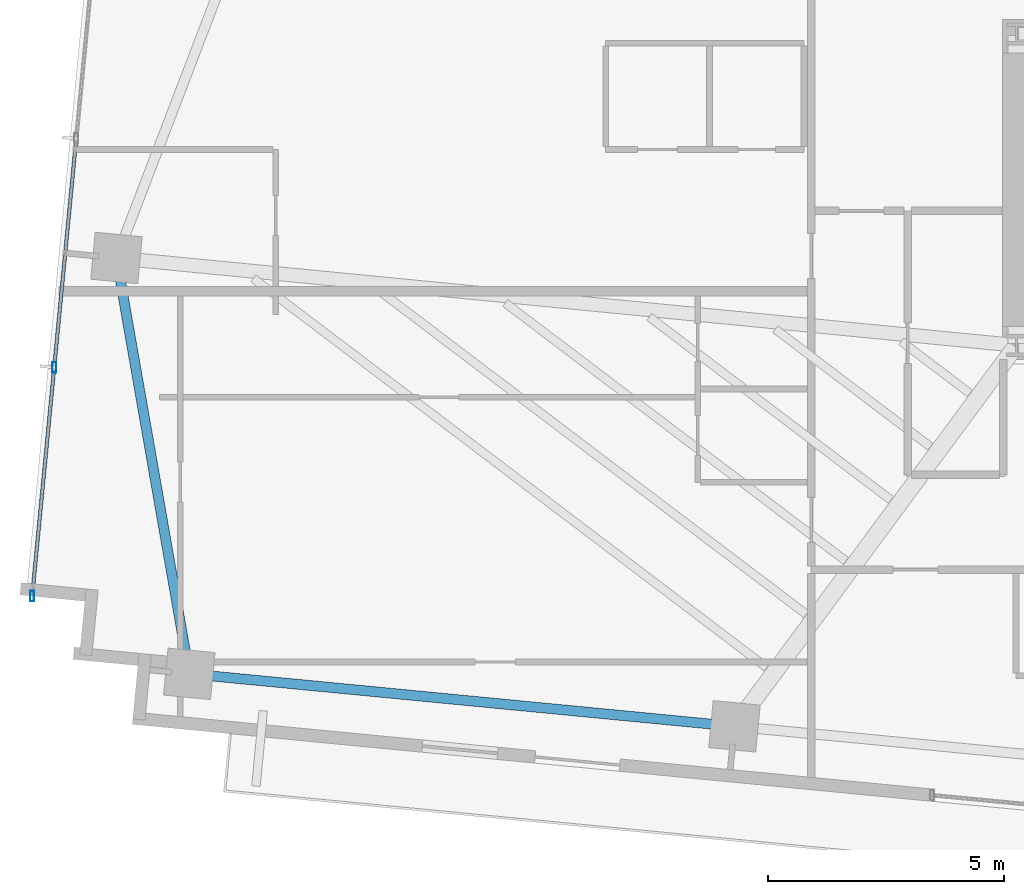
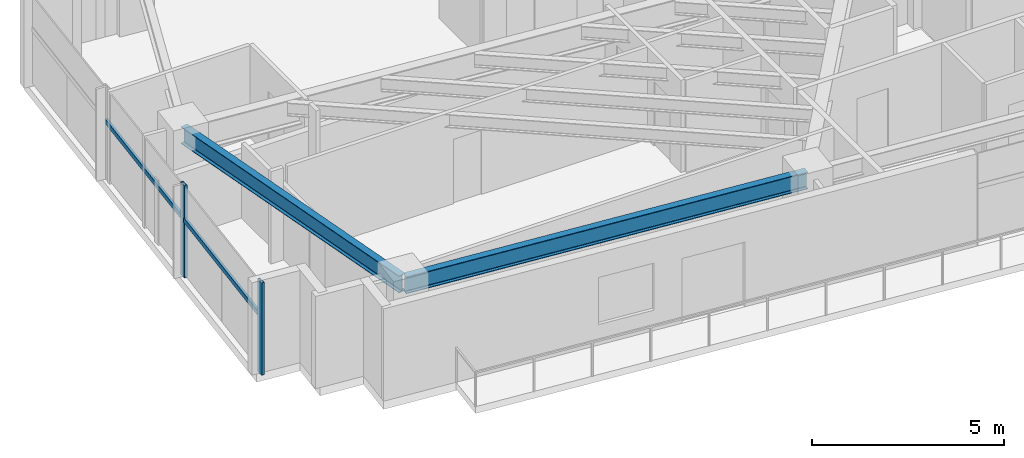
# One storey, part 2 of 20: 4 members, 2 beams, 1 element without a shape of its own.
"""IFC4 building model written with IfcOpenShell, lengths in metres."""

from ifc_helpers import new_model, si_unit, direction, frame, origin, origin_2d, place, context, subcontext, project, spatial, hollow_rectangle, i_section, extrude, source, transform, mapped, material, material_profile, profile_set, type_object, type_shapes, element, aggregate, save


model = new_model("IFC4")

# Units and contexts
model_context = context("Model", 3, precision=1e-05, world=origin(), true_north=direction((0.0, 1.0)))
body_context = subcontext(model_context, "Body", "Model", "MODEL_VIEW")
ifc_project = project(units=[si_unit("LENGTHUNIT", "METRE"), si_unit("AREAUNIT", "SQUARE_METRE"), si_unit("VOLUMEUNIT", "CUBIC_METRE"), si_unit("PLANEANGLEUNIT", "RADIAN"), si_unit("MASSUNIT", "GRAM", prefix="KILO")], contexts=[model_context])

# Site, building, storey
site_placement = place(None, origin())
site = spatial("IfcSite", under=ifc_project, at=site_placement, CompositionType="ELEMENT")
building_placement = place(site_placement, origin())
building = spatial("IfcBuilding", under=site, at=building_placement, Name="Astriad Promenade Condominiums", CompositionType="ELEMENT")
storey_placement = place(building_placement, frame((0.0, 0.0, 156.60009765625)))
storey = spatial("IfcBuildingStorey", under=building, at=storey_placement, Name="L45", CompositionType="ELEMENT", Elevation=156.60009765625)

# Beams
ifc_material_1 = material(Name="Steel ASTM A992 Grade 50", Category="steel")
ifc_material_profile_1 = material_profile(ifc_material_1, i_section(OverallWidth=0.210693359375, OverallDepth=0.53955078125, WebThickness=0.01171875, FlangeThickness=0.018798828125, FilletRadius=0.0166015625, at=origin_2d()), Name="W21X73")
ifc_profile_set_1 = profile_set([ifc_material_profile_1], Name="Steel ASTM A992 Grade 50")
beam_type = type_object("IfcBeamType", Name="STEEL SPANDREL BEAM W21X73", PredefinedType="SPANDREL", material=ifc_profile_set_1)
shared_shape_1 = source(origin(), body_context, "Body", "SweptSolid", [
    extrude(i_section(OverallWidth=0.210693359375, OverallDepth=0.53955078125, WebThickness=0.01171875, FlangeThickness=0.018798828125, FilletRadius=0.0166015625, at=origin_2d()), origin(), (0.0, 0.0, 1.0), 11.52001953125),
])
beam_1_placement = place(storey_placement, frame((8.92041015625, 10.439453125, 2.670166015625), z_axis=(0.9953953902, -0.095854145285, 0.0), x_axis=(0.095854145285, 0.9953953902, 0.0)))
element("IfcBeam", 1, at=beam_1_placement, inside=storey, type_object=beam_type, Name="Perimeter Spandrel Beam SP-S1-L45", PredefinedType="SPANDREL", context=body_context, shape_type="MappedRepresentation", body=[
    mapped(shared_shape_1, transform((0.0, 0.0, 0.0), scale=1.0)),
])
shared_shape_2 = source(origin(), body_context, "Body", "SweptSolid", [
    extrude(i_section(OverallWidth=0.210693359375, OverallDepth=0.53955078125, WebThickness=0.01171875, FlangeThickness=0.018798828125, FilletRadius=0.0166015625, at=origin_2d()), origin(), (0.0, 0.0, 1.0), 8.862548828125),
])
type_shapes(beam_type, [shared_shape_1, shared_shape_2])
beam_2_placement = place(storey_placement, frame((7.3447265625, 19.21240234375, 2.670166015625), z_axis=(0.172528005434, -0.985004612853, 0.0), x_axis=(0.985004612853, 0.172528005434, 0.0)))
element("IfcBeam", 2, at=beam_2_placement, inside=storey, type_object=beam_type, Name="Perimeter Spandrel Beam SP-W1-L45", PredefinedType="SPANDREL", context=body_context, shape_type="MappedRepresentation", body=[
    mapped(shared_shape_2, transform((0.0, 0.0, 0.0), scale=1.0)),
])

# Curtain wall, members
ifc_material_2 = material(Name="Anodised aluminium Black Dark Glass Unitised", Category="aluminium")
curtain_wall_type = type_object("IfcCurtainWallType", Name="CW-B34-DARK", PredefinedType="USERDEFINED", material=ifc_material_2)
curtain_wall_placement = place(storey_placement, origin())
curtain_wall = element("IfcCurtainWall", 3, at=curtain_wall_placement, inside=storey, type_object=curtain_wall_type, Name="CW-L45-W", ObjectType="UNITISED_CURTAIN_WALL", PredefinedType="USERDEFINED")
ifc_material_3 = material(Name="Anodised aluminium 6063-T6 Black", Category="aluminium")
ifc_material_profile_2 = material_profile(ifc_material_3, hollow_rectangle(XDim=0.0849609375, YDim=0.219970703125, WallThickness=0.0048828125, at=origin_2d()), Name="ALU-MUL-85X220")
ifc_profile_set_2 = profile_set([ifc_material_profile_2], Name="Anodised aluminium 6063-T6 Black")
member_type_1 = type_object("IfcMemberType", Name="MUL-ALU-MUL-85X220", PredefinedType="MULLION", material=ifc_profile_set_2)
shared_shape_3 = source(origin(), body_context, "Body", "SweptSolid", [
    extrude(hollow_rectangle(XDim=0.0849609375, YDim=0.219970703125, WallThickness=0.0048828125, at=origin_2d()), origin(), (0.0, 0.0, 1.0), 2.93994140625),
])
type_shapes(member_type_1, [shared_shape_3])
member_1_placement = place(storey_placement, frame((5.552978515625, 12.08984375, 0.0), z_axis=(0.0, 0.0, 1.0), x_axis=(1.0, 0.0, 0.0)))
member_1 = element("IfcMember", 4, at=member_1_placement, type_object=member_type_1, Name="CW-L45-W-MUL-00", PredefinedType="MULLION", context=body_context, shape_type="MappedRepresentation", body=[
    mapped(shared_shape_3, transform((0.0, 0.0, 0.0), scale=1.0)),
])
member_2_placement = place(storey_placement, frame((6.01953125, 16.93408203125, 0.0), z_axis=(0.0, 0.0, 1.0), x_axis=(1.0, 0.0, 0.0)))
member_2 = element("IfcMember", 5, at=member_2_placement, type_object=member_type_1, Name="CW-L45-W-MUL-01", PredefinedType="MULLION", context=body_context, shape_type="MappedRepresentation", body=[
    mapped(shared_shape_3, transform((0.0, 0.0, 0.0), scale=1.0)),
])
ifc_material_profile_3 = material_profile(ifc_material_3, hollow_rectangle(XDim=0.074951171875, YDim=0.14990234375, WallThickness=0.004150390625, at=origin_2d()), Name="ALU-TRN-75X150")
ifc_profile_set_3 = profile_set([ifc_material_profile_3], Name="Anodised aluminium 6063-T6 Black")
member_type_2 = type_object("IfcMemberType", Name="TRN-ALU-TRN-75X150", PredefinedType="USERDEFINED", material=ifc_profile_set_3)
shared_shape_4 = source(origin(), body_context, "Body", "SweptSolid", [
    extrude(hollow_rectangle(XDim=0.074951171875, YDim=0.14990234375, WallThickness=0.004150390625, at=origin_2d()), origin(), (0.0, 0.0, 1.0), 4.86669921875),
])
type_shapes(member_type_2, [shared_shape_4])
member_3_placement = place(storey_placement, frame((5.552978515625, 12.08984375, 1.82275390625), z_axis=(0.095867260207, 0.995394127178, 0.0), x_axis=(-0.995394127178, 0.095867260207, 0.0)))
member_3 = element("IfcMember", 6, at=member_3_placement, type_object=member_type_2, Name="CW-L45-W-TRN-00-0", ObjectType="TRANSOM", PredefinedType="USERDEFINED", context=body_context, shape_type="MappedRepresentation", body=[
    mapped(shared_shape_4, transform((0.0, 0.0, 0.0), scale=1.0)),
])
member_4_placement = place(storey_placement, frame((6.01953125, 16.93408203125, 1.82275390625), z_axis=(0.095867260207, 0.995394127178, 0.0), x_axis=(-0.995394127178, 0.095867260207, 0.0)))
member_4 = element("IfcMember", 7, at=member_4_placement, type_object=member_type_2, Name="CW-L45-W-TRN-01-0", ObjectType="TRANSOM", PredefinedType="USERDEFINED", context=body_context, shape_type="MappedRepresentation", body=[
    mapped(shared_shape_4, transform((0.0, 0.0, 0.0), scale=1.0)),
])
aggregate(curtain_wall, [member_1, member_2, member_3, member_4])

save(model, "model.ifc")
